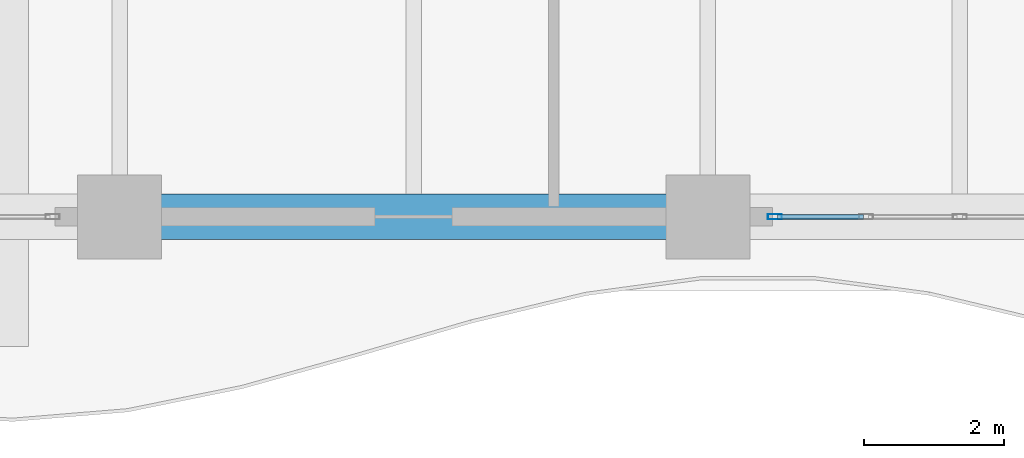
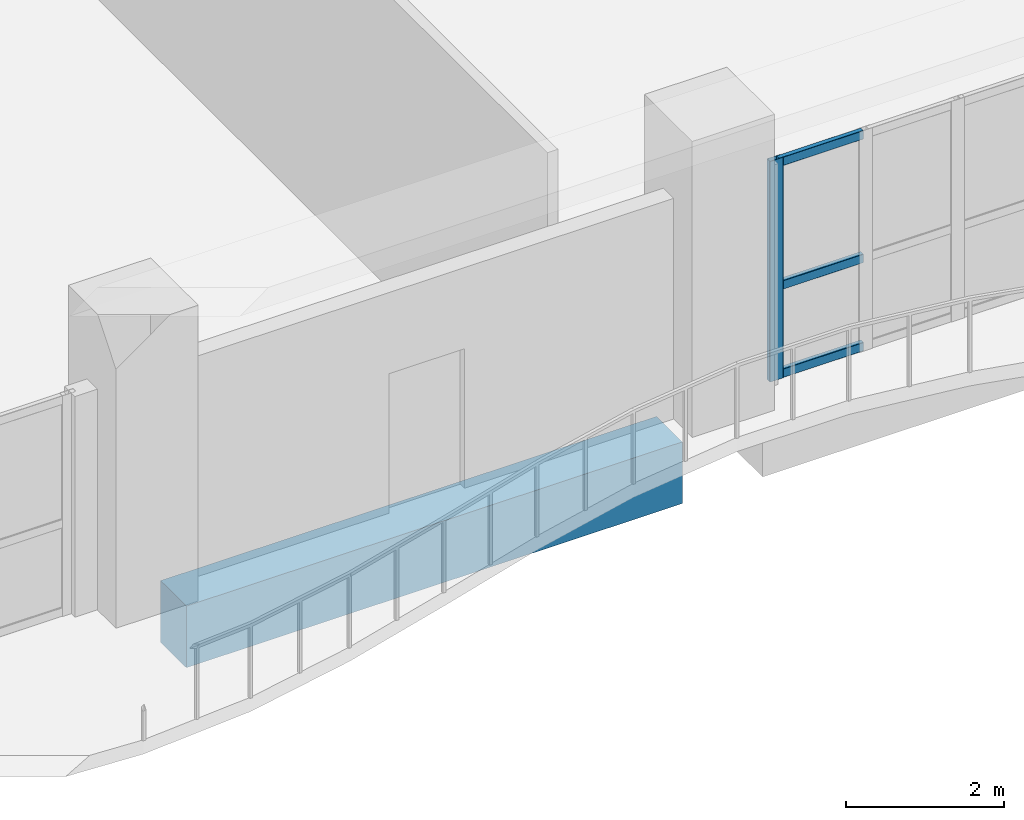
# One storey, part 12 of 37: 4 members, 1 beam, 1 element without a shape of its own.
"""IFC4 building model written with IfcOpenShell, lengths in metres."""

from ifc_helpers import new_model, si_unit, direction, frame, origin, origin_2d, place, context, subcontext, project, spatial, rectangle, hollow_rectangle, extrude, material, layer, layer_set, material_profile, profile_set, type_object, element, aggregate, save


model = new_model("IFC4")

# Units and contexts
model_context = context("Model", 3, precision=1e-05, world=origin(), true_north=direction((0.0, 1.0)))
body_context = subcontext(model_context, "Body", "Model", "MODEL_VIEW")
ifc_project = project(units=[si_unit("LENGTHUNIT", "METRE"), si_unit("AREAUNIT", "SQUARE_METRE"), si_unit("VOLUMEUNIT", "CUBIC_METRE"), si_unit("PLANEANGLEUNIT", "RADIAN"), si_unit("MASSUNIT", "GRAM", prefix="KILO")], contexts=[model_context])

# Site, building, storey
site_placement = place(None, origin())
site = spatial("IfcSite", under=ifc_project, at=site_placement, CompositionType="ELEMENT")
building_placement = place(site_placement, origin())
building = spatial("IfcBuilding", under=site, at=building_placement, Name="Kaelvorn Grand Hotel", CompositionType="ELEMENT")
storey_placement = place(building_placement, frame((0.0, 0.0, 130.550048828125)))
storey = spatial("IfcBuildingStorey", under=building, at=storey_placement, Name="L31", CompositionType="ELEMENT", Elevation=130.550048828125)

# Beam
ifc_material_1 = material(Name="Concrete C60/75", Category="concrete")
ifc_material_profile_1 = material_profile(ifc_material_1, rectangle(XDim=0.64990234375, YDim=0.949951171875, at=origin_2d()), Name="RC SPANDREL 650x950")
ifc_profile_set_1 = profile_set([ifc_material_profile_1], Name="Concrete C60/75")
beam_type = type_object("IfcBeamType", Name="BM-SP-650x950-C60", PredefinedType="SPANDREL", material=ifc_profile_set_1)
beam_placement = place(storey_placement, frame((38.385009765625, 0.0, -0.715087890625), z_axis=(1.0, 0.0, 0.0), x_axis=(0.0, 1.0, 0.0)))
element("IfcBeam", 1, at=beam_placement, inside=storey, type_object=beam_type, Name="L31 South Perimeter Spandrel 06", PredefinedType="SPANDREL", context=body_context, shape_type="SweptSolid", body=[
    extrude(rectangle(XDim=0.64990234375, YDim=0.949951171875, at=origin_2d()), origin(), (0.0, 0.0, 1.0), 7.22998046875),
])

# Curtain wall, members
ifc_material_2 = material(Name="Anodised Aluminium", Category="aluminium")
ifc_layer = layer(ifc_material_2, 0.199951171875)
ifc_layer_set = layer_set([ifc_layer], Name="Anodised Aluminium")
curtain_wall_type = type_object("IfcCurtainWallType", Name="CW-SYS3", PredefinedType="NOTDEFINED", material=ifc_layer_set)
curtain_wall_placement = place(storey_placement, origin())
curtain_wall = element("IfcCurtainWall", 2, at=curtain_wall_placement, inside=storey, type_object=curtain_wall_type, Name="L31 Unitised Curtain Wall CW3 (CW-L31-SB3-01)", PredefinedType="NOTDEFINED")
ifc_material_profile_2 = material_profile(ifc_material_2, hollow_rectangle(XDim=0.074951171875, YDim=0.199951171875, WallThickness=0.00390625, InnerFilletRadius=0.00390625, OuterFilletRadius=0.008056640625, at=origin_2d()), Name="ALU MULL 75x200")
ifc_profile_set_2 = profile_set([ifc_material_profile_2], Name="Anodised Aluminium")
member_type_1 = type_object("IfcMemberType", Name="CW-SYS3-MULL", PredefinedType="MULLION", material=ifc_profile_set_2)
member_1_placement = place(storey_placement, frame((47.157470703125, 0.0, 0.0), z_axis=(0.0, 0.0, 1.0), x_axis=(0.0, 1.0, 0.0)))
member_1 = element("IfcMember", 3, at=member_1_placement, type_object=member_type_1, Name="CW3 mullion 1", PredefinedType="MULLION", context=body_context, shape_type="SweptSolid", body=[
    extrude(hollow_rectangle(XDim=0.074951171875, YDim=0.199951171875, WallThickness=0.00390625, InnerFilletRadius=0.00390625, OuterFilletRadius=0.008056640625, at=origin_2d()), origin(), (0.0, 0.0, 1.0), 3.39990234375),
])
ifc_material_profile_3 = material_profile(ifc_material_2, hollow_rectangle(XDim=0.070068359375, YDim=0.135009765625, WallThickness=0.00341796875, InnerFilletRadius=0.00341796875, OuterFilletRadius=0.007080078125, at=origin_2d()), Name="ALU TRAN 70x135")
ifc_profile_set_3 = profile_set([ifc_material_profile_3], Name="Anodised Aluminium")
member_type_2 = type_object("IfcMemberType", Name="CW-SYS3-TRAN", PredefinedType="NOTDEFINED", material=ifc_profile_set_3)
member_2_placement = place(storey_placement, frame((47.195068359375, 0.0, 0.0673828125), z_axis=(1.0, 0.0, 0.0), x_axis=(0.0, 1.0, 0.0)))
member_2 = element("IfcMember", 4, at=member_2_placement, type_object=member_type_2, Name="CW3 transom 1.1", ObjectType="TRANSOM", PredefinedType="USERDEFINED", context=body_context, shape_type="SweptSolid", body=[
    extrude(hollow_rectangle(XDim=0.070068359375, YDim=0.135009765625, WallThickness=0.00341796875, InnerFilletRadius=0.00341796875, OuterFilletRadius=0.007080078125, at=origin_2d()), origin(), (0.0, 0.0, 1.0), 1.2275390625),
])
member_3_placement = place(storey_placement, frame((47.195068359375, 0.0, 1.427978515625), z_axis=(1.0, 0.0, 0.0), x_axis=(0.0, 1.0, 0.0)))
member_3 = element("IfcMember", 5, at=member_3_placement, type_object=member_type_2, Name="CW3 transom 1.2", ObjectType="TRANSOM", PredefinedType="USERDEFINED", context=body_context, shape_type="SweptSolid", body=[
    extrude(hollow_rectangle(XDim=0.070068359375, YDim=0.135009765625, WallThickness=0.00341796875, InnerFilletRadius=0.00341796875, OuterFilletRadius=0.007080078125, at=origin_2d()), origin(), (0.0, 0.0, 1.0), 1.2275390625),
])
member_4_placement = place(storey_placement, frame((47.195068359375, 0.0, 3.33251953125), z_axis=(1.0, 0.0, 0.0), x_axis=(0.0, 1.0, 0.0)))
member_4 = element("IfcMember", 6, at=member_4_placement, type_object=member_type_2, Name="CW3 transom 1.3", ObjectType="TRANSOM", PredefinedType="USERDEFINED", context=body_context, shape_type="SweptSolid", body=[
    extrude(hollow_rectangle(XDim=0.070068359375, YDim=0.135009765625, WallThickness=0.00341796875, InnerFilletRadius=0.00341796875, OuterFilletRadius=0.007080078125, at=origin_2d()), origin(), (0.0, 0.0, 1.0), 1.2275390625),
])
aggregate(curtain_wall, [member_1, member_2, member_3, member_4])

save(model, "model.ifc")
